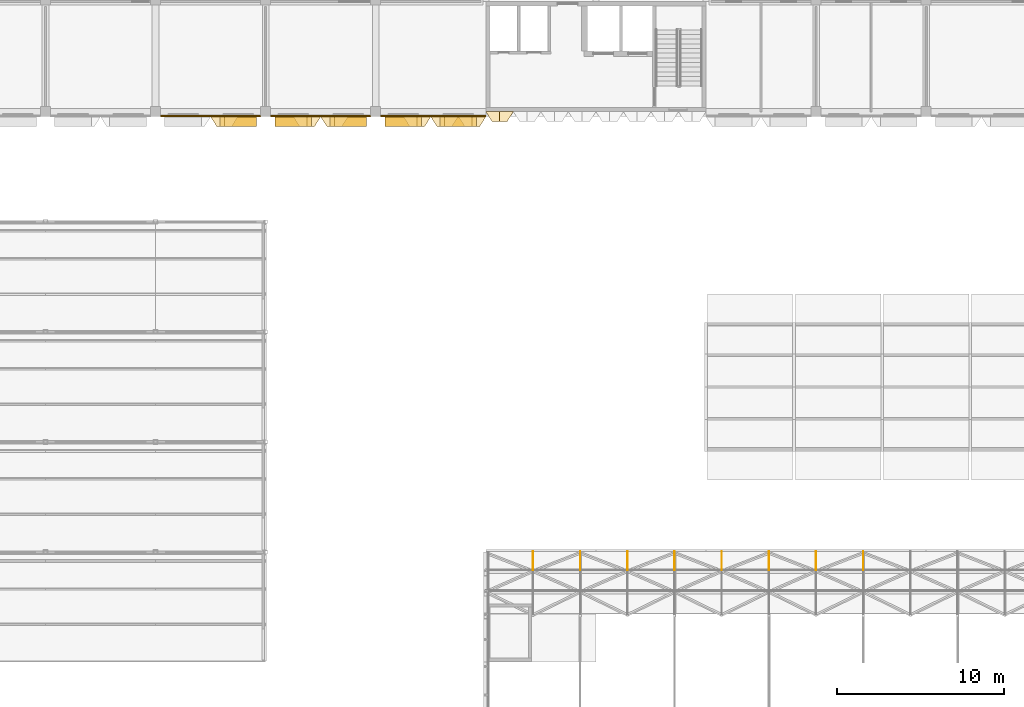
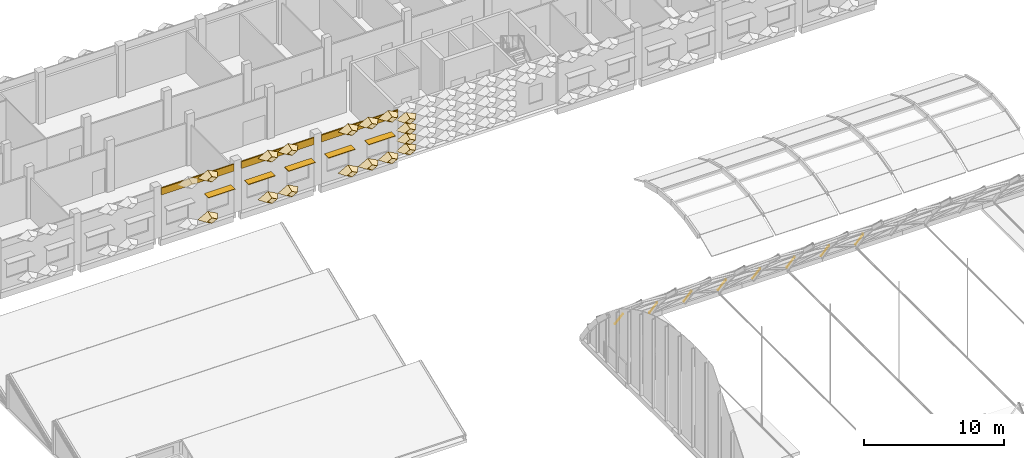
# One storey, part 86 of 109: 27 coverings, 5 shading devices.
"""IFC4 building model written with IfcOpenShell, lengths in metres."""

from ifc_helpers import new_model, entity, si_unit, direction, frame, frame_2d, origin, origin_2d, place, context, subcontext, project, spatial, rectangle, extrude, material, layer, layer_set, material_profile, profile_set, type_object, element, save


model = new_model("IFC4")

# Units and contexts
model_context = context("Model", 3, precision=1e-05, world=origin(), true_north=direction((0.0, 1.0)))
body_context = subcontext(model_context, "Body", "Model", "MODEL_VIEW")
ifc_project = project(units=[si_unit("LENGTHUNIT", "METRE"), si_unit("AREAUNIT", "SQUARE_METRE"), si_unit("VOLUMEUNIT", "CUBIC_METRE"), si_unit("PLANEANGLEUNIT", "RADIAN"), si_unit("MASSUNIT", "GRAM", prefix="KILO")], contexts=[model_context])

# Site, building, storey
site_placement = place(None, origin())
site = spatial("IfcSite", under=ifc_project, at=site_placement, CompositionType="ELEMENT")
building_placement = place(site_placement, origin())
building = spatial("IfcBuilding", under=site, at=building_placement, Name="Lantern Court Research Institute", CompositionType="ELEMENT")
storey_placement = place(building_placement, frame((0.0, 0.0, 14.39990234375)))
storey = spatial("IfcBuildingStorey", under=building, at=storey_placement, Name="L03", CompositionType="ELEMENT", Elevation=14.39990234375)

# Shading devices
ifc_material_1 = material(Name="Aluminium alloy 6063-T6", Category="aluminium")
ifc_layer_1 = layer(ifc_material_1, 0.050048828125)
ifc_layer_set_1 = layer_set([ifc_layer_1], Name="Aluminium alloy 6063-T6")
shading_device_type = type_object("IfcShadingDeviceType", Name="Brise-soleil blade 2200 x 600 x 50 aluminium", PredefinedType="USERDEFINED", material=ifc_layer_set_1)
for number, where, z_axis, x_axis, name in (
    (1, (24.75, 81.89990234375, 2.5), (0.0, 0.0, 1.0), (-1.0, 0.0, 0.0), "Brise-soleil blade L03 S"),
    (2, (28.050048828125, 81.89990234375, 2.5), (0.0, 0.0, 1.0), (-1.0, 0.0, 0.0), "Brise-soleil blade L03 S"),
    (3, (31.35009765625, 81.89990234375, 2.5), (0.0, 0.0, 1.0), (-1.0, 0.0, 0.0), "Brise-soleil blade L03 S"),
    (4, (34.64990234375, 81.89990234375, 2.5), (0.0, 0.0, 1.0), (-1.0, 0.0, 0.0), "Brise-soleil blade L03 S"),
    (5, (37.949951171875, 81.89990234375, 2.5), (0.0, 0.0, 1.0), (-1.0, 0.0, 0.0), "Brise-soleil blade L03 S"),
):
    element("IfcShadingDevice", number, at=place(storey_placement, frame(where, z_axis=z_axis, x_axis=x_axis)), inside=storey, type_object=shading_device_type, Name=name, ObjectType="LOUVRE", PredefinedType="USERDEFINED", context=body_context, shape_type="SweptSolid", body=[
        extrude(rectangle(XDim=2.199951171875, YDim=0.60009765625, at=origin_2d()), origin(), (0.0, 0.0, 1.0), 0.050048828125),
    ])

# Coverings
ifc_material_2 = material(Name="Aluminium composite panel with mineral wool insulation", Category="aluminium")
ifc_layer_2 = layer(ifc_material_2, 0.10009765625)
ifc_layer_set_2 = layer_set([ifc_layer_2], Name="Aluminium composite panel with mineral wool insulation")
covering_type_1 = type_object("IfcCoveringType", Name="Edge fascia panel 100 aluminium faced", PredefinedType="CLADDING", material=ifc_layer_set_2)
for number, where, z_axis, x_axis, name in (
    (6, (26.10009765625, 82.25, 3.650146484375), (0.0, 0.0, 1.0), (-1.0, 0.0, 0.0), "Edge fascia V6S L03 04"),
    (7, (32.699951171875, 82.25, 3.650146484375), (0.0, 0.0, 1.0), (-1.0, 0.0, 0.0), "Edge fascia V6S L03 05"),
):
    element("IfcCovering", number, at=place(storey_placement, frame(where, z_axis=z_axis, x_axis=x_axis)), inside=storey, type_object=covering_type_1, Name=name, PredefinedType="CLADDING", context=body_context, shape_type="SweptSolid", body=[
        extrude(rectangle(XDim=6.0, YDim=0.10009765625, at=frame_2d((3.0, 0.0))), origin(), (0.0, 0.0, 1.0), 0.599853515625),
    ])
covering_1_placement = place(storey_placement, frame((39.60009765625, 82.25, 3.650146484375), z_axis=(0.0, 0.0, 1.0), x_axis=(-1.0, 0.0, 0.0)))
element("IfcCovering", 8, at=covering_1_placement, inside=storey, type_object=covering_type_1, Name="Edge fascia V6S L03 06", PredefinedType="CLADDING", context=body_context, shape_type="SweptSolid", body=[
    extrude(rectangle(XDim=6.300048828125, YDim=0.10009765625, at=frame_2d((3.14990234375, 0.0))), origin(), (0.0, 0.0, 1.0), 0.599853515625),
])
ifc_material_3 = material(Name="Anodised aluminium", Category="aluminium")
ifc_layer_3 = layer(ifc_material_3, 0.01611328125)
ifc_layer_set_3 = layer_set([ifc_layer_3], Name="Anodised aluminium")
covering_type_2 = type_object("IfcCoveringType", Name="Fin cassette 1650 x 900 x 600 aluminium", PredefinedType="CLADDING", material=ifc_layer_set_3)
covering_2_placement = place(storey_placement, frame((40.425048828125, 82.5, 0.4501953125), z_axis=(0.0, -1.0, 0.0), x_axis=(1.0, 0.0, 0.0)))
cartesian_point_1 = entity("IfcCartesianPoint", [0.824951171875, 0.0])
cartesian_point_2 = entity("IfcCartesianPoint", [0.79150390625, 0.0])
cartesian_point_3 = entity("IfcCartesianPoint", [0.44189453125, 0.0])
cartesian_point_4 = entity("IfcCartesianPoint", [0.43359375, 0.0])
element("IfcCovering", 9, at=covering_2_placement, inside=storey, type_object=covering_type_2, Name="Fin cassette V6S-L03 1.25", PredefinedType="CLADDING", context=body_context, shape_type="SweptSolid", body=[
    entity("IfcExtrudedAreaSolidTapered", entity("IfcArbitraryProfileDefWithVoids", "AREA", None, entity("IfcPolyline", [cartesian_point_1, entity("IfcCartesianPoint", [0.0, 0.449951171875]), entity("IfcCartesianPoint", [-0.824951171875, 0.0]), entity("IfcCartesianPoint", [0.0, -0.449951171875]), cartesian_point_1]), [entity("IfcPolyline", [cartesian_point_2, entity("IfcCartesianPoint", [0.0, 0.431884765625]), entity("IfcCartesianPoint", [-0.79150390625, 0.0]), entity("IfcCartesianPoint", [0.0, -0.431884765625]), cartesian_point_2])]), entity("IfcAxis2Placement3D", entity("IfcCartesianPoint", [0.0, 0.0, 0.0])), entity("IfcDirection", [0.0, 0.0, 1.0]), 0.60009765625, entity("IfcArbitraryProfileDefWithVoids", "AREA", None, entity("IfcPolyline", [cartesian_point_3, entity("IfcCartesianPoint", [0.0, 0.240966796875]), entity("IfcCartesianPoint", [-0.44189453125, 0.0]), entity("IfcCartesianPoint", [0.0, -0.240966796875]), cartesian_point_3]), [entity("IfcPolyline", [cartesian_point_4, entity("IfcCartesianPoint", [0.0, 0.236572265625]), entity("IfcCartesianPoint", [-0.43359375, 0.0]), entity("IfcCartesianPoint", [0.0, -0.236572265625]), cartesian_point_4])])),
])
covering_3_placement = place(storey_placement, frame((40.425048828125, 82.5, 1.35009765625), z_axis=(0.0, -1.0, 0.0), x_axis=(1.0, 0.0, 0.0)))
cartesian_point_5 = entity("IfcCartesianPoint", [0.824951171875, 0.0])
cartesian_point_6 = entity("IfcCartesianPoint", [0.79150390625, 0.0])
cartesian_point_7 = entity("IfcCartesianPoint", [0.44189453125, 0.0])
cartesian_point_8 = entity("IfcCartesianPoint", [0.43359375, 0.0])
element("IfcCovering", 10, at=covering_3_placement, inside=storey, type_object=covering_type_2, Name="Fin cassette V6S-L03 2.25", PredefinedType="CLADDING", context=body_context, shape_type="SweptSolid", body=[
    entity("IfcExtrudedAreaSolidTapered", entity("IfcArbitraryProfileDefWithVoids", "AREA", None, entity("IfcPolyline", [cartesian_point_5, entity("IfcCartesianPoint", [0.0, 0.449951171875]), entity("IfcCartesianPoint", [-0.824951171875, 0.0]), entity("IfcCartesianPoint", [0.0, -0.449951171875]), cartesian_point_5]), [entity("IfcPolyline", [cartesian_point_6, entity("IfcCartesianPoint", [0.0, 0.431884765625]), entity("IfcCartesianPoint", [-0.79150390625, 0.0]), entity("IfcCartesianPoint", [0.0, -0.431884765625]), cartesian_point_6])]), entity("IfcAxis2Placement3D", entity("IfcCartesianPoint", [0.0, 0.0, 0.0])), entity("IfcDirection", [0.0, 0.0, 1.0]), 0.60009765625, entity("IfcArbitraryProfileDefWithVoids", "AREA", None, entity("IfcPolyline", [cartesian_point_7, entity("IfcCartesianPoint", [0.0, 0.240966796875]), entity("IfcCartesianPoint", [-0.44189453125, 0.0]), entity("IfcCartesianPoint", [0.0, -0.240966796875]), cartesian_point_7]), [entity("IfcPolyline", [cartesian_point_8, entity("IfcCartesianPoint", [0.0, 0.236572265625]), entity("IfcCartesianPoint", [-0.43359375, 0.0]), entity("IfcCartesianPoint", [0.0, -0.236572265625]), cartesian_point_8])])),
])
covering_4_placement = place(storey_placement, frame((40.425048828125, 82.5, 2.25), z_axis=(0.0, -1.0, 0.0), x_axis=(1.0, 0.0, 0.0)))
cartesian_point_9 = entity("IfcCartesianPoint", [0.824951171875, 0.0])
cartesian_point_10 = entity("IfcCartesianPoint", [0.79150390625, 0.0])
cartesian_point_11 = entity("IfcCartesianPoint", [0.44189453125, 0.0])
cartesian_point_12 = entity("IfcCartesianPoint", [0.43359375, 0.0])
element("IfcCovering", 11, at=covering_4_placement, inside=storey, type_object=covering_type_2, Name="Fin cassette V6S-L03 3.25", PredefinedType="CLADDING", context=body_context, shape_type="SweptSolid", body=[
    entity("IfcExtrudedAreaSolidTapered", entity("IfcArbitraryProfileDefWithVoids", "AREA", None, entity("IfcPolyline", [cartesian_point_9, entity("IfcCartesianPoint", [0.0, 0.449951171875]), entity("IfcCartesianPoint", [-0.824951171875, 0.0]), entity("IfcCartesianPoint", [0.0, -0.449951171875]), cartesian_point_9]), [entity("IfcPolyline", [cartesian_point_10, entity("IfcCartesianPoint", [0.0, 0.431884765625]), entity("IfcCartesianPoint", [-0.79150390625, 0.0]), entity("IfcCartesianPoint", [0.0, -0.431884765625]), cartesian_point_10])]), entity("IfcAxis2Placement3D", entity("IfcCartesianPoint", [0.0, 0.0, 0.0])), entity("IfcDirection", [0.0, 0.0, 1.0]), 0.60009765625, entity("IfcArbitraryProfileDefWithVoids", "AREA", None, entity("IfcPolyline", [cartesian_point_11, entity("IfcCartesianPoint", [0.0, 0.240966796875]), entity("IfcCartesianPoint", [-0.44189453125, 0.0]), entity("IfcCartesianPoint", [0.0, -0.240966796875]), cartesian_point_11]), [entity("IfcPolyline", [cartesian_point_12, entity("IfcCartesianPoint", [0.0, 0.236572265625]), entity("IfcCartesianPoint", [-0.43359375, 0.0]), entity("IfcCartesianPoint", [0.0, -0.236572265625]), cartesian_point_12])])),
])
covering_5_placement = place(storey_placement, frame((40.425048828125, 82.5, 3.150146484375), z_axis=(0.0, -1.0, 0.0), x_axis=(1.0, 0.0, 0.0)))
cartesian_point_13 = entity("IfcCartesianPoint", [0.824951171875, 0.0])
cartesian_point_14 = entity("IfcCartesianPoint", [0.79150390625, 0.0])
cartesian_point_15 = entity("IfcCartesianPoint", [0.44189453125, 0.0])
cartesian_point_16 = entity("IfcCartesianPoint", [0.43359375, 0.0])
element("IfcCovering", 12, at=covering_5_placement, inside=storey, type_object=covering_type_2, Name="Fin cassette V6S-L03 4.25", PredefinedType="CLADDING", context=body_context, shape_type="SweptSolid", body=[
    entity("IfcExtrudedAreaSolidTapered", entity("IfcArbitraryProfileDefWithVoids", "AREA", None, entity("IfcPolyline", [cartesian_point_13, entity("IfcCartesianPoint", [0.0, 0.449951171875]), entity("IfcCartesianPoint", [-0.824951171875, 0.0]), entity("IfcCartesianPoint", [0.0, -0.449951171875]), cartesian_point_13]), [entity("IfcPolyline", [cartesian_point_14, entity("IfcCartesianPoint", [0.0, 0.431884765625]), entity("IfcCartesianPoint", [-0.79150390625, 0.0]), entity("IfcCartesianPoint", [0.0, -0.431884765625]), cartesian_point_14])]), entity("IfcAxis2Placement3D", entity("IfcCartesianPoint", [0.0, 0.0, 0.0])), entity("IfcDirection", [0.0, 0.0, 1.0]), 0.60009765625, entity("IfcArbitraryProfileDefWithVoids", "AREA", None, entity("IfcPolyline", [cartesian_point_15, entity("IfcCartesianPoint", [0.0, 0.240966796875]), entity("IfcCartesianPoint", [-0.44189453125, 0.0]), entity("IfcCartesianPoint", [0.0, -0.240966796875]), cartesian_point_15]), [entity("IfcPolyline", [cartesian_point_16, entity("IfcCartesianPoint", [0.0, 0.236572265625]), entity("IfcCartesianPoint", [-0.43359375, 0.0]), entity("IfcCartesianPoint", [0.0, -0.236572265625]), cartesian_point_16])])),
])
covering_6_placement = place(storey_placement, frame((23.925048828125, 82.199951171875, 0.4501953125), z_axis=(0.0, -1.0, 0.0), x_axis=(1.0, 0.0, 0.0)))
cartesian_point_17 = entity("IfcCartesianPoint", [0.824951171875, 0.0])
cartesian_point_18 = entity("IfcCartesianPoint", [0.79150390625, 0.0])
cartesian_point_19 = entity("IfcCartesianPoint", [0.44189453125, 0.0])
cartesian_point_20 = entity("IfcCartesianPoint", [0.43359375, 0.0])
element("IfcCovering", 13, at=covering_6_placement, inside=storey, type_object=covering_type_2, Name="Fin cassette V6S-L03 1.15", PredefinedType="CLADDING", context=body_context, shape_type="SweptSolid", body=[
    entity("IfcExtrudedAreaSolidTapered", entity("IfcArbitraryProfileDefWithVoids", "AREA", None, entity("IfcPolyline", [cartesian_point_17, entity("IfcCartesianPoint", [0.0, 0.449951171875]), entity("IfcCartesianPoint", [-0.824951171875, 0.0]), entity("IfcCartesianPoint", [0.0, -0.449951171875]), cartesian_point_17]), [entity("IfcPolyline", [cartesian_point_18, entity("IfcCartesianPoint", [0.0, 0.431884765625]), entity("IfcCartesianPoint", [-0.79150390625, 0.0]), entity("IfcCartesianPoint", [0.0, -0.431884765625]), cartesian_point_18])]), entity("IfcAxis2Placement3D", entity("IfcCartesianPoint", [0.0, 0.0, 0.0])), entity("IfcDirection", [0.0, 0.0, 1.0]), 0.60009765625, entity("IfcArbitraryProfileDefWithVoids", "AREA", None, entity("IfcPolyline", [cartesian_point_19, entity("IfcCartesianPoint", [0.0, 0.240966796875]), entity("IfcCartesianPoint", [-0.44189453125, 0.0]), entity("IfcCartesianPoint", [0.0, -0.240966796875]), cartesian_point_19]), [entity("IfcPolyline", [cartesian_point_20, entity("IfcCartesianPoint", [0.0, 0.236572265625]), entity("IfcCartesianPoint", [-0.43359375, 0.0]), entity("IfcCartesianPoint", [0.0, -0.236572265625]), cartesian_point_20])])),
])
covering_7_placement = place(storey_placement, frame((28.875, 82.199951171875, 0.4501953125), z_axis=(0.0, -1.0, 0.0), x_axis=(1.0, 0.0, 0.0)))
cartesian_point_21 = entity("IfcCartesianPoint", [0.824951171875, 0.0])
cartesian_point_22 = entity("IfcCartesianPoint", [0.79150390625, 0.0])
cartesian_point_23 = entity("IfcCartesianPoint", [0.44189453125, 0.0])
cartesian_point_24 = entity("IfcCartesianPoint", [0.43359375, 0.0])
element("IfcCovering", 14, at=covering_7_placement, inside=storey, type_object=covering_type_2, Name="Fin cassette V6S-L03 1.18", PredefinedType="CLADDING", context=body_context, shape_type="SweptSolid", body=[
    entity("IfcExtrudedAreaSolidTapered", entity("IfcArbitraryProfileDefWithVoids", "AREA", None, entity("IfcPolyline", [cartesian_point_21, entity("IfcCartesianPoint", [0.0, 0.449951171875]), entity("IfcCartesianPoint", [-0.824951171875, 0.0]), entity("IfcCartesianPoint", [0.0, -0.449951171875]), cartesian_point_21]), [entity("IfcPolyline", [cartesian_point_22, entity("IfcCartesianPoint", [0.0, 0.431884765625]), entity("IfcCartesianPoint", [-0.79150390625, 0.0]), entity("IfcCartesianPoint", [0.0, -0.431884765625]), cartesian_point_22])]), entity("IfcAxis2Placement3D", entity("IfcCartesianPoint", [0.0, 0.0, 0.0])), entity("IfcDirection", [0.0, 0.0, 1.0]), 0.60009765625, entity("IfcArbitraryProfileDefWithVoids", "AREA", None, entity("IfcPolyline", [cartesian_point_23, entity("IfcCartesianPoint", [0.0, 0.240966796875]), entity("IfcCartesianPoint", [-0.44189453125, 0.0]), entity("IfcCartesianPoint", [0.0, -0.240966796875]), cartesian_point_23]), [entity("IfcPolyline", [cartesian_point_24, entity("IfcCartesianPoint", [0.0, 0.236572265625]), entity("IfcCartesianPoint", [-0.43359375, 0.0]), entity("IfcCartesianPoint", [0.0, -0.236572265625]), cartesian_point_24])])),
])
covering_8_placement = place(storey_placement, frame((30.52490234375, 82.199951171875, 0.4501953125), z_axis=(0.0, -1.0, 0.0), x_axis=(1.0, 0.0, 0.0)))
cartesian_point_25 = entity("IfcCartesianPoint", [0.824951171875, 0.0])
cartesian_point_26 = entity("IfcCartesianPoint", [0.79150390625, 0.0])
cartesian_point_27 = entity("IfcCartesianPoint", [0.44189453125, 0.0])
cartesian_point_28 = entity("IfcCartesianPoint", [0.43359375, 0.0])
element("IfcCovering", 15, at=covering_8_placement, inside=storey, type_object=covering_type_2, Name="Fin cassette V6S-L03 1.19", PredefinedType="CLADDING", context=body_context, shape_type="SweptSolid", body=[
    entity("IfcExtrudedAreaSolidTapered", entity("IfcArbitraryProfileDefWithVoids", "AREA", None, entity("IfcPolyline", [cartesian_point_25, entity("IfcCartesianPoint", [0.0, 0.449951171875]), entity("IfcCartesianPoint", [-0.824951171875, 0.0]), entity("IfcCartesianPoint", [0.0, -0.449951171875]), cartesian_point_25]), [entity("IfcPolyline", [cartesian_point_26, entity("IfcCartesianPoint", [0.0, 0.431884765625]), entity("IfcCartesianPoint", [-0.79150390625, 0.0]), entity("IfcCartesianPoint", [0.0, -0.431884765625]), cartesian_point_26])]), entity("IfcAxis2Placement3D", entity("IfcCartesianPoint", [0.0, 0.0, 0.0])), entity("IfcDirection", [0.0, 0.0, 1.0]), 0.60009765625, entity("IfcArbitraryProfileDefWithVoids", "AREA", None, entity("IfcPolyline", [cartesian_point_27, entity("IfcCartesianPoint", [0.0, 0.240966796875]), entity("IfcCartesianPoint", [-0.44189453125, 0.0]), entity("IfcCartesianPoint", [0.0, -0.240966796875]), cartesian_point_27]), [entity("IfcPolyline", [cartesian_point_28, entity("IfcCartesianPoint", [0.0, 0.236572265625]), entity("IfcCartesianPoint", [-0.43359375, 0.0]), entity("IfcCartesianPoint", [0.0, -0.236572265625]), cartesian_point_28])])),
])
covering_9_placement = place(storey_placement, frame((35.47509765625, 82.199951171875, 0.4501953125), z_axis=(0.0, -1.0, 0.0), x_axis=(1.0, 0.0, 0.0)))
cartesian_point_29 = entity("IfcCartesianPoint", [0.824951171875, 0.0])
cartesian_point_30 = entity("IfcCartesianPoint", [0.79150390625, 0.0])
cartesian_point_31 = entity("IfcCartesianPoint", [0.44189453125, 0.0])
cartesian_point_32 = entity("IfcCartesianPoint", [0.43359375, 0.0])
element("IfcCovering", 16, at=covering_9_placement, inside=storey, type_object=covering_type_2, Name="Fin cassette V6S-L03 1.22", PredefinedType="CLADDING", context=body_context, shape_type="SweptSolid", body=[
    entity("IfcExtrudedAreaSolidTapered", entity("IfcArbitraryProfileDefWithVoids", "AREA", None, entity("IfcPolyline", [cartesian_point_29, entity("IfcCartesianPoint", [0.0, 0.449951171875]), entity("IfcCartesianPoint", [-0.824951171875, 0.0]), entity("IfcCartesianPoint", [0.0, -0.449951171875]), cartesian_point_29]), [entity("IfcPolyline", [cartesian_point_30, entity("IfcCartesianPoint", [0.0, 0.431884765625]), entity("IfcCartesianPoint", [-0.79150390625, 0.0]), entity("IfcCartesianPoint", [0.0, -0.431884765625]), cartesian_point_30])]), entity("IfcAxis2Placement3D", entity("IfcCartesianPoint", [0.0, 0.0, 0.0])), entity("IfcDirection", [0.0, 0.0, 1.0]), 0.60009765625, entity("IfcArbitraryProfileDefWithVoids", "AREA", None, entity("IfcPolyline", [cartesian_point_31, entity("IfcCartesianPoint", [0.0, 0.240966796875]), entity("IfcCartesianPoint", [-0.44189453125, 0.0]), entity("IfcCartesianPoint", [0.0, -0.240966796875]), cartesian_point_31]), [entity("IfcPolyline", [cartesian_point_32, entity("IfcCartesianPoint", [0.0, 0.236572265625]), entity("IfcCartesianPoint", [-0.43359375, 0.0]), entity("IfcCartesianPoint", [0.0, -0.236572265625]), cartesian_point_32])])),
])
covering_10_placement = place(storey_placement, frame((37.125, 82.199951171875, 0.4501953125), z_axis=(0.0, -1.0, 0.0), x_axis=(1.0, 0.0, 0.0)))
cartesian_point_33 = entity("IfcCartesianPoint", [0.824951171875, 0.0])
cartesian_point_34 = entity("IfcCartesianPoint", [0.79150390625, 0.0])
cartesian_point_35 = entity("IfcCartesianPoint", [0.44189453125, 0.0])
cartesian_point_36 = entity("IfcCartesianPoint", [0.43359375, 0.0])
element("IfcCovering", 17, at=covering_10_placement, inside=storey, type_object=covering_type_2, Name="Fin cassette V6S-L03 1.23", PredefinedType="CLADDING", context=body_context, shape_type="SweptSolid", body=[
    entity("IfcExtrudedAreaSolidTapered", entity("IfcArbitraryProfileDefWithVoids", "AREA", None, entity("IfcPolyline", [cartesian_point_33, entity("IfcCartesianPoint", [0.0, 0.449951171875]), entity("IfcCartesianPoint", [-0.824951171875, 0.0]), entity("IfcCartesianPoint", [0.0, -0.449951171875]), cartesian_point_33]), [entity("IfcPolyline", [cartesian_point_34, entity("IfcCartesianPoint", [0.0, 0.431884765625]), entity("IfcCartesianPoint", [-0.79150390625, 0.0]), entity("IfcCartesianPoint", [0.0, -0.431884765625]), cartesian_point_34])]), entity("IfcAxis2Placement3D", entity("IfcCartesianPoint", [0.0, 0.0, 0.0])), entity("IfcDirection", [0.0, 0.0, 1.0]), 0.60009765625, entity("IfcArbitraryProfileDefWithVoids", "AREA", None, entity("IfcPolyline", [cartesian_point_35, entity("IfcCartesianPoint", [0.0, 0.240966796875]), entity("IfcCartesianPoint", [-0.44189453125, 0.0]), entity("IfcCartesianPoint", [0.0, -0.240966796875]), cartesian_point_35]), [entity("IfcPolyline", [cartesian_point_36, entity("IfcCartesianPoint", [0.0, 0.236572265625]), entity("IfcCartesianPoint", [-0.43359375, 0.0]), entity("IfcCartesianPoint", [0.0, -0.236572265625]), cartesian_point_36])])),
])
covering_11_placement = place(storey_placement, frame((38.77490234375, 82.199951171875, 0.4501953125), z_axis=(0.0, -1.0, 0.0), x_axis=(1.0, 0.0, 0.0)))
cartesian_point_37 = entity("IfcCartesianPoint", [0.824951171875, 0.0])
cartesian_point_38 = entity("IfcCartesianPoint", [0.79150390625, 0.0])
cartesian_point_39 = entity("IfcCartesianPoint", [0.44189453125, 0.0])
cartesian_point_40 = entity("IfcCartesianPoint", [0.43359375, 0.0])
element("IfcCovering", 18, at=covering_11_placement, inside=storey, type_object=covering_type_2, Name="Fin cassette V6S-L03 1.24", PredefinedType="CLADDING", context=body_context, shape_type="SweptSolid", body=[
    entity("IfcExtrudedAreaSolidTapered", entity("IfcArbitraryProfileDefWithVoids", "AREA", None, entity("IfcPolyline", [cartesian_point_37, entity("IfcCartesianPoint", [0.0, 0.449951171875]), entity("IfcCartesianPoint", [-0.824951171875, 0.0]), entity("IfcCartesianPoint", [0.0, -0.449951171875]), cartesian_point_37]), [entity("IfcPolyline", [cartesian_point_38, entity("IfcCartesianPoint", [0.0, 0.431884765625]), entity("IfcCartesianPoint", [-0.79150390625, 0.0]), entity("IfcCartesianPoint", [0.0, -0.431884765625]), cartesian_point_38])]), entity("IfcAxis2Placement3D", entity("IfcCartesianPoint", [0.0, 0.0, 0.0])), entity("IfcDirection", [0.0, 0.0, 1.0]), 0.60009765625, entity("IfcArbitraryProfileDefWithVoids", "AREA", None, entity("IfcPolyline", [cartesian_point_39, entity("IfcCartesianPoint", [0.0, 0.240966796875]), entity("IfcCartesianPoint", [-0.44189453125, 0.0]), entity("IfcCartesianPoint", [0.0, -0.240966796875]), cartesian_point_39]), [entity("IfcPolyline", [cartesian_point_40, entity("IfcCartesianPoint", [0.0, 0.236572265625]), entity("IfcCartesianPoint", [-0.43359375, 0.0]), entity("IfcCartesianPoint", [0.0, -0.236572265625]), cartesian_point_40])])),
])
covering_12_placement = place(storey_placement, frame((23.925048828125, 82.199951171875, 4.050048828125), z_axis=(0.0, -1.0, 0.0), x_axis=(1.0, 0.0, 0.0)))
cartesian_point_41 = entity("IfcCartesianPoint", [0.824951171875, 0.0])
cartesian_point_42 = entity("IfcCartesianPoint", [0.79150390625, 0.0])
cartesian_point_43 = entity("IfcCartesianPoint", [0.44189453125, 0.0])
cartesian_point_44 = entity("IfcCartesianPoint", [0.43359375, 0.0])
element("IfcCovering", 19, at=covering_12_placement, inside=storey, type_object=covering_type_2, Name="Fin cassette V6S-L03 5.15", PredefinedType="CLADDING", context=body_context, shape_type="SweptSolid", body=[
    entity("IfcExtrudedAreaSolidTapered", entity("IfcArbitraryProfileDefWithVoids", "AREA", None, entity("IfcPolyline", [cartesian_point_41, entity("IfcCartesianPoint", [0.0, 0.449951171875]), entity("IfcCartesianPoint", [-0.824951171875, 0.0]), entity("IfcCartesianPoint", [0.0, -0.449951171875]), cartesian_point_41]), [entity("IfcPolyline", [cartesian_point_42, entity("IfcCartesianPoint", [0.0, 0.431884765625]), entity("IfcCartesianPoint", [-0.79150390625, 0.0]), entity("IfcCartesianPoint", [0.0, -0.431884765625]), cartesian_point_42])]), entity("IfcAxis2Placement3D", entity("IfcCartesianPoint", [0.0, 0.0, 0.0])), entity("IfcDirection", [0.0, 0.0, 1.0]), 0.60009765625, entity("IfcArbitraryProfileDefWithVoids", "AREA", None, entity("IfcPolyline", [cartesian_point_43, entity("IfcCartesianPoint", [0.0, 0.240966796875]), entity("IfcCartesianPoint", [-0.44189453125, 0.0]), entity("IfcCartesianPoint", [0.0, -0.240966796875]), cartesian_point_43]), [entity("IfcPolyline", [cartesian_point_44, entity("IfcCartesianPoint", [0.0, 0.236572265625]), entity("IfcCartesianPoint", [-0.43359375, 0.0]), entity("IfcCartesianPoint", [0.0, -0.236572265625]), cartesian_point_44])])),
])
covering_13_placement = place(storey_placement, frame((28.875, 82.199951171875, 4.050048828125), z_axis=(0.0, -1.0, 0.0), x_axis=(1.0, 0.0, 0.0)))
cartesian_point_45 = entity("IfcCartesianPoint", [0.824951171875, 0.0])
cartesian_point_46 = entity("IfcCartesianPoint", [0.79150390625, 0.0])
cartesian_point_47 = entity("IfcCartesianPoint", [0.44189453125, 0.0])
cartesian_point_48 = entity("IfcCartesianPoint", [0.43359375, 0.0])
element("IfcCovering", 20, at=covering_13_placement, inside=storey, type_object=covering_type_2, Name="Fin cassette V6S-L03 5.18", PredefinedType="CLADDING", context=body_context, shape_type="SweptSolid", body=[
    entity("IfcExtrudedAreaSolidTapered", entity("IfcArbitraryProfileDefWithVoids", "AREA", None, entity("IfcPolyline", [cartesian_point_45, entity("IfcCartesianPoint", [0.0, 0.449951171875]), entity("IfcCartesianPoint", [-0.824951171875, 0.0]), entity("IfcCartesianPoint", [0.0, -0.449951171875]), cartesian_point_45]), [entity("IfcPolyline", [cartesian_point_46, entity("IfcCartesianPoint", [0.0, 0.431884765625]), entity("IfcCartesianPoint", [-0.79150390625, 0.0]), entity("IfcCartesianPoint", [0.0, -0.431884765625]), cartesian_point_46])]), entity("IfcAxis2Placement3D", entity("IfcCartesianPoint", [0.0, 0.0, 0.0])), entity("IfcDirection", [0.0, 0.0, 1.0]), 0.60009765625, entity("IfcArbitraryProfileDefWithVoids", "AREA", None, entity("IfcPolyline", [cartesian_point_47, entity("IfcCartesianPoint", [0.0, 0.240966796875]), entity("IfcCartesianPoint", [-0.44189453125, 0.0]), entity("IfcCartesianPoint", [0.0, -0.240966796875]), cartesian_point_47]), [entity("IfcPolyline", [cartesian_point_48, entity("IfcCartesianPoint", [0.0, 0.236572265625]), entity("IfcCartesianPoint", [-0.43359375, 0.0]), entity("IfcCartesianPoint", [0.0, -0.236572265625]), cartesian_point_48])])),
])
covering_14_placement = place(storey_placement, frame((30.52490234375, 82.199951171875, 4.050048828125), z_axis=(0.0, -1.0, 0.0), x_axis=(1.0, 0.0, 0.0)))
cartesian_point_49 = entity("IfcCartesianPoint", [0.824951171875, 0.0])
cartesian_point_50 = entity("IfcCartesianPoint", [0.79150390625, 0.0])
cartesian_point_51 = entity("IfcCartesianPoint", [0.44189453125, 0.0])
cartesian_point_52 = entity("IfcCartesianPoint", [0.43359375, 0.0])
element("IfcCovering", 21, at=covering_14_placement, inside=storey, type_object=covering_type_2, Name="Fin cassette V6S-L03 5.19", PredefinedType="CLADDING", context=body_context, shape_type="SweptSolid", body=[
    entity("IfcExtrudedAreaSolidTapered", entity("IfcArbitraryProfileDefWithVoids", "AREA", None, entity("IfcPolyline", [cartesian_point_49, entity("IfcCartesianPoint", [0.0, 0.449951171875]), entity("IfcCartesianPoint", [-0.824951171875, 0.0]), entity("IfcCartesianPoint", [0.0, -0.449951171875]), cartesian_point_49]), [entity("IfcPolyline", [cartesian_point_50, entity("IfcCartesianPoint", [0.0, 0.431884765625]), entity("IfcCartesianPoint", [-0.79150390625, 0.0]), entity("IfcCartesianPoint", [0.0, -0.431884765625]), cartesian_point_50])]), entity("IfcAxis2Placement3D", entity("IfcCartesianPoint", [0.0, 0.0, 0.0])), entity("IfcDirection", [0.0, 0.0, 1.0]), 0.60009765625, entity("IfcArbitraryProfileDefWithVoids", "AREA", None, entity("IfcPolyline", [cartesian_point_51, entity("IfcCartesianPoint", [0.0, 0.240966796875]), entity("IfcCartesianPoint", [-0.44189453125, 0.0]), entity("IfcCartesianPoint", [0.0, -0.240966796875]), cartesian_point_51]), [entity("IfcPolyline", [cartesian_point_52, entity("IfcCartesianPoint", [0.0, 0.236572265625]), entity("IfcCartesianPoint", [-0.43359375, 0.0]), entity("IfcCartesianPoint", [0.0, -0.236572265625]), cartesian_point_52])])),
])
covering_15_placement = place(storey_placement, frame((35.47509765625, 82.199951171875, 4.050048828125), z_axis=(0.0, -1.0, 0.0), x_axis=(1.0, 0.0, 0.0)))
cartesian_point_53 = entity("IfcCartesianPoint", [0.824951171875, 0.0])
cartesian_point_54 = entity("IfcCartesianPoint", [0.79150390625, 0.0])
cartesian_point_55 = entity("IfcCartesianPoint", [0.44189453125, 0.0])
cartesian_point_56 = entity("IfcCartesianPoint", [0.43359375, 0.0])
element("IfcCovering", 22, at=covering_15_placement, inside=storey, type_object=covering_type_2, Name="Fin cassette V6S-L03 5.22", PredefinedType="CLADDING", context=body_context, shape_type="SweptSolid", body=[
    entity("IfcExtrudedAreaSolidTapered", entity("IfcArbitraryProfileDefWithVoids", "AREA", None, entity("IfcPolyline", [cartesian_point_53, entity("IfcCartesianPoint", [0.0, 0.449951171875]), entity("IfcCartesianPoint", [-0.824951171875, 0.0]), entity("IfcCartesianPoint", [0.0, -0.449951171875]), cartesian_point_53]), [entity("IfcPolyline", [cartesian_point_54, entity("IfcCartesianPoint", [0.0, 0.431884765625]), entity("IfcCartesianPoint", [-0.79150390625, 0.0]), entity("IfcCartesianPoint", [0.0, -0.431884765625]), cartesian_point_54])]), entity("IfcAxis2Placement3D", entity("IfcCartesianPoint", [0.0, 0.0, 0.0])), entity("IfcDirection", [0.0, 0.0, 1.0]), 0.60009765625, entity("IfcArbitraryProfileDefWithVoids", "AREA", None, entity("IfcPolyline", [cartesian_point_55, entity("IfcCartesianPoint", [0.0, 0.240966796875]), entity("IfcCartesianPoint", [-0.44189453125, 0.0]), entity("IfcCartesianPoint", [0.0, -0.240966796875]), cartesian_point_55]), [entity("IfcPolyline", [cartesian_point_56, entity("IfcCartesianPoint", [0.0, 0.236572265625]), entity("IfcCartesianPoint", [-0.43359375, 0.0]), entity("IfcCartesianPoint", [0.0, -0.236572265625]), cartesian_point_56])])),
])
covering_16_placement = place(storey_placement, frame((37.125, 82.199951171875, 4.050048828125), z_axis=(0.0, -1.0, 0.0), x_axis=(1.0, 0.0, 0.0)))
cartesian_point_57 = entity("IfcCartesianPoint", [0.824951171875, 0.0])
cartesian_point_58 = entity("IfcCartesianPoint", [0.79150390625, 0.0])
cartesian_point_59 = entity("IfcCartesianPoint", [0.44189453125, 0.0])
cartesian_point_60 = entity("IfcCartesianPoint", [0.43359375, 0.0])
element("IfcCovering", 23, at=covering_16_placement, inside=storey, type_object=covering_type_2, Name="Fin cassette V6S-L03 5.23", PredefinedType="CLADDING", context=body_context, shape_type="SweptSolid", body=[
    entity("IfcExtrudedAreaSolidTapered", entity("IfcArbitraryProfileDefWithVoids", "AREA", None, entity("IfcPolyline", [cartesian_point_57, entity("IfcCartesianPoint", [0.0, 0.449951171875]), entity("IfcCartesianPoint", [-0.824951171875, 0.0]), entity("IfcCartesianPoint", [0.0, -0.449951171875]), cartesian_point_57]), [entity("IfcPolyline", [cartesian_point_58, entity("IfcCartesianPoint", [0.0, 0.431884765625]), entity("IfcCartesianPoint", [-0.79150390625, 0.0]), entity("IfcCartesianPoint", [0.0, -0.431884765625]), cartesian_point_58])]), entity("IfcAxis2Placement3D", entity("IfcCartesianPoint", [0.0, 0.0, 0.0])), entity("IfcDirection", [0.0, 0.0, 1.0]), 0.60009765625, entity("IfcArbitraryProfileDefWithVoids", "AREA", None, entity("IfcPolyline", [cartesian_point_59, entity("IfcCartesianPoint", [0.0, 0.240966796875]), entity("IfcCartesianPoint", [-0.44189453125, 0.0]), entity("IfcCartesianPoint", [0.0, -0.240966796875]), cartesian_point_59]), [entity("IfcPolyline", [cartesian_point_60, entity("IfcCartesianPoint", [0.0, 0.236572265625]), entity("IfcCartesianPoint", [-0.43359375, 0.0]), entity("IfcCartesianPoint", [0.0, -0.236572265625]), cartesian_point_60])])),
])
covering_17_placement = place(storey_placement, frame((38.77490234375, 82.199951171875, 4.050048828125), z_axis=(0.0, -1.0, 0.0), x_axis=(1.0, 0.0, 0.0)))
cartesian_point_61 = entity("IfcCartesianPoint", [0.824951171875, 0.0])
cartesian_point_62 = entity("IfcCartesianPoint", [0.79150390625, 0.0])
cartesian_point_63 = entity("IfcCartesianPoint", [0.44189453125, 0.0])
cartesian_point_64 = entity("IfcCartesianPoint", [0.43359375, 0.0])
element("IfcCovering", 24, at=covering_17_placement, inside=storey, type_object=covering_type_2, Name="Fin cassette V6S-L03 5.24", PredefinedType="CLADDING", context=body_context, shape_type="SweptSolid", body=[
    entity("IfcExtrudedAreaSolidTapered", entity("IfcArbitraryProfileDefWithVoids", "AREA", None, entity("IfcPolyline", [cartesian_point_61, entity("IfcCartesianPoint", [0.0, 0.449951171875]), entity("IfcCartesianPoint", [-0.824951171875, 0.0]), entity("IfcCartesianPoint", [0.0, -0.449951171875]), cartesian_point_61]), [entity("IfcPolyline", [cartesian_point_62, entity("IfcCartesianPoint", [0.0, 0.431884765625]), entity("IfcCartesianPoint", [-0.79150390625, 0.0]), entity("IfcCartesianPoint", [0.0, -0.431884765625]), cartesian_point_62])]), entity("IfcAxis2Placement3D", entity("IfcCartesianPoint", [0.0, 0.0, 0.0])), entity("IfcDirection", [0.0, 0.0, 1.0]), 0.60009765625, entity("IfcArbitraryProfileDefWithVoids", "AREA", None, entity("IfcPolyline", [cartesian_point_63, entity("IfcCartesianPoint", [0.0, 0.240966796875]), entity("IfcCartesianPoint", [-0.44189453125, 0.0]), entity("IfcCartesianPoint", [0.0, -0.240966796875]), cartesian_point_63]), [entity("IfcPolyline", [cartesian_point_64, entity("IfcCartesianPoint", [0.0, 0.236572265625]), entity("IfcCartesianPoint", [-0.43359375, 0.0]), entity("IfcCartesianPoint", [0.0, -0.236572265625]), cartesian_point_64])])),
])
ifc_material_4 = material(Name="Aluminium alloy 6063-T6", Category="aluminium")
ifc_material_profile = material_profile(ifc_material_4, rectangle(XDim=0.01806640625, YDim=0.052001953125, at=origin_2d()), Name="Joint cover bar 18 x 52")
ifc_profile_set = profile_set([ifc_material_profile], Name="Aluminium alloy 6063-T6")
covering_type_3 = type_object("IfcCoveringType", Name="Joint cover bar 18 x 52", PredefinedType="MOLDING", material=ifc_profile_set)
for number, where, z_axis, x_axis, name in (
    (25, (42.428466796875, 55.02490234375, 1.969970703125), (0.0, 0.576275057404, -0.817255809532), (-1.0, 0.0, 0.0), "Joint cover bar"),
    (26, (45.257080078125, 55.02490234375, 1.969970703125), (0.0, 0.576275057404, -0.817255809532), (-1.0, 0.0, 0.0), "Joint cover bar"),
    (27, (48.085693359375, 55.02490234375, 1.969970703125), (0.0, 0.576275057404, -0.817255809532), (-1.0, 0.0, 0.0), "Joint cover bar"),
    (28, (50.914306640625, 55.02490234375, 1.969970703125), (0.0, 0.576275057404, -0.817255809532), (-1.0, 0.0, 0.0), "Joint cover bar"),
    (29, (53.742919921875, 55.02490234375, 1.969970703125), (0.0, 0.576275057404, -0.817255809532), (-1.0, 0.0, 0.0), "Joint cover bar"),
    (30, (56.571533203125, 55.02490234375, 1.969970703125), (0.0, 0.576275057404, -0.817255809532), (-1.0, 0.0, 0.0), "Joint cover bar"),
    (31, (59.39990234375, 55.02490234375, 1.969970703125), (0.0, 0.576275057404, -0.817255809532), (-1.0, 0.0, 0.0), "Joint cover bar"),
    (32, (62.228515625, 55.02490234375, 1.969970703125), (0.0, 0.576275057404, -0.817255809532), (-1.0, 0.0, 0.0), "Joint cover bar"),
):
    element("IfcCovering", number, at=place(storey_placement, frame(where, z_axis=z_axis, x_axis=x_axis)), inside=storey, type_object=covering_type_3, Name=name, PredefinedType="MOLDING", context=body_context, shape_type="SweptSolid", body=[
        extrude(rectangle(XDim=0.01806640625, YDim=0.052001953125, at=origin_2d()), origin(), (0.0, 0.0, 1.0), 1.902587890625),
    ])

save(model, "model.ifc")
